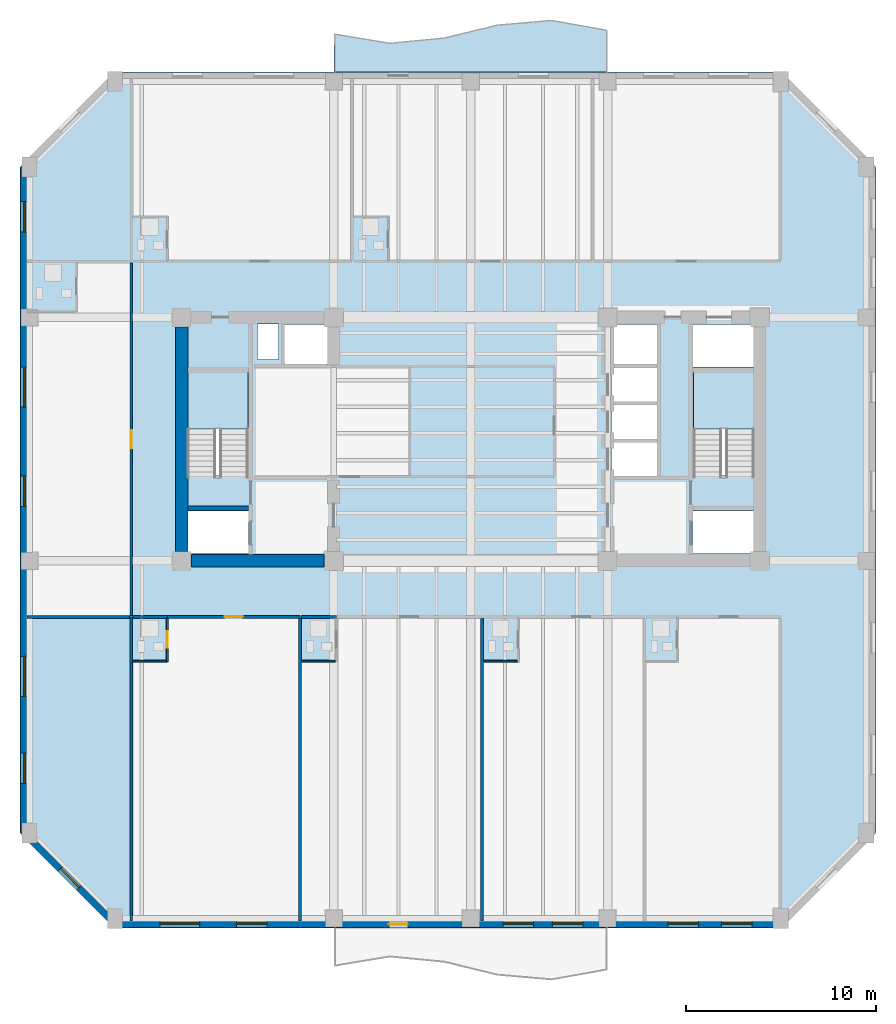
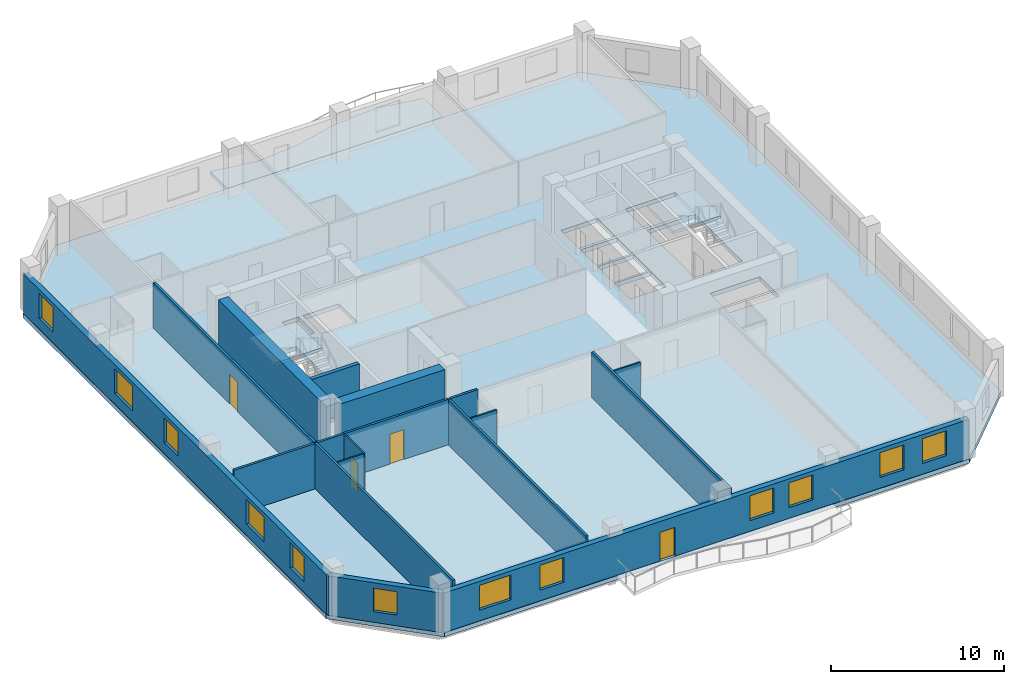
# One storey, part 2 of 10: 18 walls, 12 windows, 4 doors, 4 slabs, 16 openings, 2 elements without a shape of their own.
"""IFC4 building model written with IfcOpenShell, lengths in metres."""

from ifc_helpers import new_model, si_unit, direction, frame, frame_2d, origin, place, context, subcontext, project, spatial, polyline, rectangle, outline, extrude, material, layer, layer_set, type_object, element, fill, aggregate, save


model = new_model("IFC4")

# Units and contexts
model_context = context("Model", 3, precision=1e-05, world=origin(), true_north=direction((0.0, 1.0)))
body_context = subcontext(model_context, "Body", "Model", "MODEL_VIEW")
ifc_project = project(units=[si_unit("LENGTHUNIT", "METRE"), si_unit("AREAUNIT", "SQUARE_METRE"), si_unit("VOLUMEUNIT", "CUBIC_METRE"), si_unit("PLANEANGLEUNIT", "RADIAN"), si_unit("MASSUNIT", "GRAM", prefix="KILO")], contexts=[model_context])

# Site, building, storey
site_placement = place(None, origin())
site = spatial("IfcSite", under=ifc_project, at=site_placement, CompositionType="ELEMENT")
building_placement = place(site_placement, origin())
building = spatial("IfcBuilding", under=site, at=building_placement, Name="Kranthara Brick Stack", CompositionType="ELEMENT")
storey_placement = place(building_placement, frame((0.0, 0.0, 123.800048828125)))
storey = spatial("IfcBuildingStorey", under=building, at=storey_placement, Name="L30", CompositionType="ELEMENT", Elevation=123.800048828125)

# Slab
ifc_material_1 = material(Name="Concrete C45/55", Category="concrete")
ifc_layer_1 = layer(ifc_material_1, 0.219970703125)
ifc_layer_set_1 = layer_set([ifc_layer_1], Name="Concrete C45/55")
slab_type_1 = type_object("IfcSlabType", Name="SLB-BALC-220", PredefinedType="FLOOR", material=ifc_layer_set_1)
slab_1_placement = place(storey_placement, frame((0.0, 0.0, -0.219970703125)))
element("IfcSlab", 1, at=slab_1_placement, inside=storey, type_object=slab_type_1, Name="L30 North Rippling Balcony Slab", PredefinedType="FLOOR", context=body_context, shape_type="SweptSolid", body=[
    extrude(outline(polyline([(35.199951171875, 46.5), (20.800048828125, 46.5), (20.800048828125, 48.4951171875), (23.679931640625, 48.009033203125), (26.56005859375, 48.297607421875), (29.43994140625, 48.997802734375), (32.320068359375, 49.229248046875), (35.199951171875, 48.70068359375), (35.199951171875, 46.5)])), origin(), (0.0, 0.0, 1.0), 0.219970703125),
])

# Stair, slab
ifc_material_2 = material(Name="Concrete C45/55", Category="concrete")
stair_type = type_object("IfcStairType", Name="ST-CORE-20R", PredefinedType="HALF_TURN_STAIR", material=ifc_material_2)
stair_1_placement = place(storey_placement, origin())
stair_1 = element("IfcStair", 2, at=stair_1_placement, inside=storey, type_object=stair_type, Name="L30 West Core Protected Exit Stair ST01", PredefinedType="HALF_TURN_STAIR")
ifc_material_3 = material(Name="Concrete C45/55", Category="concrete")
ifc_layer_2 = layer(ifc_material_3, 0.199951171875)
ifc_layer_set_2 = layer_set([ifc_layer_2], Name="Concrete C45/55")
slab_type_2 = type_object("IfcSlabType", Name="SLB-LANDING-200", PredefinedType="LANDING", material=ifc_layer_set_2)
slab_2_placement = place(storey_placement, frame((0.0, 0.0, 1.550048828125)))
slab_2 = element("IfcSlab", 3, at=slab_2_placement, type_object=slab_type_2, Name="ST01 landing 1", PredefinedType="LANDING", context=body_context, shape_type="SweptSolid", body=[
    extrude(outline(polyline([(16.300048828125, 27.719970703125), (16.300048828125, 30.75), (13.10009765625, 30.75), (13.10009765625, 27.719970703125), (16.300048828125, 27.719970703125)])), origin(), (0.0, 0.0, 1.0), 0.199951171875),
])
aggregate(stair_1, [slab_2])

stair_2_placement = place(storey_placement, origin())
stair_2 = element("IfcStair", 4, at=stair_2_placement, inside=storey, type_object=stair_type, Name="L30 East Core Protected Exit Stair ST02", PredefinedType="HALF_TURN_STAIR")
slab_3_placement = place(storey_placement, frame((0.0, 0.0, 1.550048828125)))
slab_3 = element("IfcSlab", 5, at=slab_3_placement, type_object=slab_type_2, Name="ST02 landing 1", PredefinedType="LANDING", context=body_context, shape_type="SweptSolid", body=[
    extrude(outline(polyline([(42.89990234375, 27.719970703125), (42.89990234375, 30.75), (39.699951171875, 30.75), (39.699951171875, 27.719970703125), (42.89990234375, 27.719970703125)])), origin(), (0.0, 0.0, 1.0), 0.199951171875),
])
aggregate(stair_2, [slab_3])

# Slab
ifc_material_4 = material(Name="Post-tensioned concrete C45/55", Category="concrete")
ifc_layer_3 = layer(ifc_material_4, 0.300048828125)
ifc_layer_set_3 = layer_set([ifc_layer_3], Name="Post-tensioned concrete C45/55")
slab_type_3 = type_object("IfcSlabType", Name="SLB-TWR-300", PredefinedType="FLOOR", material=ifc_layer_set_3)
slab_4_placement = place(storey_placement, frame((0.0, 0.0, -0.300048828125)))
element("IfcSlab", 6, at=slab_4_placement, inside=storey, type_object=slab_type_3, Name="L30 Structural Floor Plate", PredefinedType="FLOOR", context=body_context, shape_type="SweptSolid", body=[
    extrude(outline(polyline([(9.300048828125, 1.5), (44.300048828125, 1.5), (49.300048828125, 6.5), (49.300048828125, 41.5), (44.300048828125, 46.5), (9.300048828125, 46.5), (4.300048828125, 41.5), (4.300048828125, 6.5), (9.300048828125, 1.5)]), holes=[polyline([(13.10009765625, 25.280029296875), (16.300048828125, 25.280029296875), (16.300048828125, 30.75), (13.10009765625, 30.75), (13.10009765625, 25.280029296875)]), polyline([(39.699951171875, 25.280029296875), (42.89990234375, 25.280029296875), (42.89990234375, 30.75), (39.699951171875, 30.75), (39.699951171875, 25.280029296875)]), polyline([(13.0, 21.179931640625), (16.320068359375, 21.179931640625), (16.320068359375, 23.419921875), (13.0, 23.419921875), (13.0, 21.179931640625)]), polyline([(39.679931640625, 21.179931640625), (43.0, 21.179931640625), (43.0, 23.419921875), (39.679931640625, 23.419921875), (39.679931640625, 21.179931640625)]), polyline([(39.679931640625, 30.97998046875), (43.0, 30.97998046875), (43.0, 33.219970703125), (39.679931640625, 33.219970703125), (39.679931640625, 30.97998046875)]), polyline([(35.39990234375, 25.25), (37.800048828125, 25.25), (37.800048828125, 27.050048828125), (35.39990234375, 27.050048828125), (35.39990234375, 25.25)]), polyline([(35.39990234375, 27.199951171875), (37.800048828125, 27.199951171875), (37.800048828125, 29.0), (35.39990234375, 29.0), (35.39990234375, 27.199951171875)]), polyline([(35.39990234375, 29.14990234375), (37.800048828125, 29.14990234375), (37.800048828125, 30.949951171875), (35.39990234375, 30.949951171875), (35.39990234375, 29.14990234375)]), polyline([(18.199951171875, 31.14990234375), (20.60009765625, 31.14990234375), (20.60009765625, 33.219970703125), (18.199951171875, 33.219970703125), (18.199951171875, 31.14990234375)]), polyline([(35.39990234375, 31.14990234375), (37.800048828125, 31.14990234375), (37.800048828125, 33.219970703125), (35.39990234375, 33.219970703125), (35.39990234375, 31.14990234375)]), polyline([(16.800048828125, 31.39990234375), (17.89990234375, 31.39990234375), (17.89990234375, 33.25), (16.800048828125, 33.25), (16.800048828125, 31.39990234375)])]), origin(), (0.0, 0.0, 1.0), 0.300048828125),
])

# Wall, openings, door, windows
ifc_material_5 = material(Name="Kiln-fired clay brick masonry M15", Category="masonry")
ifc_layer_4 = layer(ifc_material_5, 0.35009765625)
ifc_layer_set_4 = layer_set([ifc_layer_4], Name="Kiln-fired clay brick masonry M15")
wall_type_1 = type_object("IfcWallType", Name="WL-BRK-SPND-350", PredefinedType="STANDARD", material=ifc_layer_set_4)
wall_1_placement = place(storey_placement, frame((44.300048828125, 1.695068359375, 0.0), z_axis=(0.0, 0.0, 1.0), x_axis=(-1.0, 0.0, 0.0)))
wall_1 = element("IfcWall", 7, at=wall_1_placement, inside=storey, type_object=wall_type_1, Name="L30 Exterior Brick Facade Wall SOUTH 1", PredefinedType="STANDARD", context=body_context, shape_type="SweptSolid", body=[
    extrude(rectangle(XDim=35.0, YDim=0.35009765625, at=frame_2d((17.5, 0.0))), origin(), (0.0, 0.0, 1.0), 2.784912109375),
])
opening_1_placement = place(wall_1_placement, frame((19.60009765625, 0.0, 0.0)))
opening_1 = element("IfcOpeningElement", 8, at=opening_1_placement, cuts=wall_1, Name="Opening D03", PredefinedType="OPENING", context=body_context, shape_type="SweptSolid", body=[
    extrude(rectangle(XDim=1.0, YDim=2.02001953125, at=frame_2d((0.5, 1.010009765625))), frame((0.0, 0.18505859375, 0.0), z_axis=(0.0, -1.0, 0.0), x_axis=(1.0, 0.0, 0.0)), (0.0, 0.0, 1.0), 0.3701171875),
])
opening_2_placement = place(wall_1_placement, frame((1.508056640625, 0.0, 0.75)))
opening_2 = element("IfcOpeningElement", 9, at=opening_2_placement, cuts=wall_1, Name="Opening WN04", PredefinedType="OPENING", context=body_context, shape_type="SweptSolid", body=[
    extrude(rectangle(XDim=1.60009765625, YDim=1.75, at=frame_2d((0.800048828125, 0.875))), frame((0.0, 0.18505859375, 0.0), z_axis=(0.0, -1.0, 0.0), x_axis=(1.0, 0.0, 0.0)), (0.0, 0.0, 1.0), 0.3701171875),
])
opening_3_placement = place(wall_1_placement, frame((4.337890625, 0.0, 0.75)))
opening_3 = element("IfcOpeningElement", 10, at=opening_3_placement, cuts=wall_1, Name="Opening WN04", PredefinedType="OPENING", context=body_context, shape_type="SweptSolid", body=[
    extrude(rectangle(XDim=1.60009765625, YDim=1.75, at=frame_2d((0.800048828125, 0.875))), frame((0.0, 0.18505859375, 0.0), z_axis=(0.0, -1.0, 0.0), x_axis=(1.0, 0.0, 0.0)), (0.0, 0.0, 1.0), 0.3701171875),
])
opening_4_placement = place(wall_1_placement, frame((10.406005859375, 0.0, 0.75)))
opening_4 = element("IfcOpeningElement", 11, at=opening_4_placement, cuts=wall_1, Name="Opening WN04", PredefinedType="OPENING", context=body_context, shape_type="SweptSolid", body=[
    extrude(rectangle(XDim=1.60009765625, YDim=1.75, at=frame_2d((0.800048828125, 0.875))), frame((0.0, 0.18505859375, 0.0), z_axis=(0.0, -1.0, 0.0), x_axis=(1.0, 0.0, 0.0)), (0.0, 0.0, 1.0), 0.3701171875),
])
opening_5_placement = place(wall_1_placement, frame((13.0029296875, 0.0, 0.75)))
opening_5 = element("IfcOpeningElement", 12, at=opening_5_placement, cuts=wall_1, Name="Opening WN04", PredefinedType="OPENING", context=body_context, shape_type="SweptSolid", body=[
    extrude(rectangle(XDim=1.60009765625, YDim=1.75, at=frame_2d((0.800048828125, 0.875))), frame((0.0, 0.18505859375, 0.0), z_axis=(0.0, -1.0, 0.0), x_axis=(1.0, 0.0, 0.0)), (0.0, 0.0, 1.0), 0.3701171875),
])
opening_6_placement = place(wall_1_placement, frame((27.02001953125, 0.0, 0.75)))
opening_6 = element("IfcOpeningElement", 13, at=opening_6_placement, cuts=wall_1, Name="Opening WN04", PredefinedType="OPENING", context=body_context, shape_type="SweptSolid", body=[
    extrude(rectangle(XDim=1.60009765625, YDim=1.75, at=frame_2d((0.800048828125, 0.875))), frame((0.0, 0.18505859375, 0.0), z_axis=(0.0, -1.0, 0.0), x_axis=(1.0, 0.0, 0.0)), (0.0, 0.0, 1.0), 0.3701171875),
])
opening_7_placement = place(wall_1_placement, frame((30.551025390625, 0.0, 0.75)))
opening_7 = element("IfcOpeningElement", 14, at=opening_7_placement, cuts=wall_1, Name="Opening WN05", PredefinedType="OPENING", context=body_context, shape_type="SweptSolid", body=[
    extrude(rectangle(XDim=2.10009765625, YDim=1.75, at=frame_2d((1.050048828125, 0.875))), frame((0.0, 0.18505859375, 0.0), z_axis=(0.0, -1.0, 0.0), x_axis=(1.0, 0.0, 0.0)), (0.0, 0.0, 1.0), 0.3701171875),
])
ifc_material_6 = material(Name="Bronze anodised aluminium and laminated glass", Category="aluminium")
door_type_1 = type_object("IfcDoorType", Name="DR-BALC-1000", OperationType="NOTDEFINED", PredefinedType="DOOR", material=ifc_material_6)
door_1_placement = place(opening_1_placement, origin())
door_1 = element("IfcDoor", 15, at=door_1_placement, inside=storey, type_object=door_type_1, Name="L30 South Balcony Terrace Door", OperationType="SINGLE_SWING_LEFT", OverallHeight=2.02001953125, OverallWidth=1.0, PredefinedType="DOOR", context=body_context, shape_type="SweptSolid", body=[
    extrude(rectangle(XDim=1.0, YDim=2.02001953125, at=frame_2d((0.5, 1.010009765625))), frame((0.0, 0.02490234375, 0.0), z_axis=(0.0, -1.0, 0.0), x_axis=(1.0, 0.0, 0.0)), (0.0, 0.0, 1.0), 0.050048828125),
])
fill(opening_1, door_1)
ifc_material_7 = material(Name="Double-glazed low-E solar control glass", Category="glass")
window_type_1 = type_object("IfcWindowType", Name="WN-HTL-1600x1850", PartitioningType="DOUBLE_PANEL_VERTICAL", PredefinedType="WINDOW", material=ifc_material_7)
window_1_placement = place(opening_2_placement, origin())
window_1 = element("IfcWindow", 16, at=window_1_placement, inside=storey, type_object=window_type_1, Name="L30 South Deep-Set Brick Window 01", OverallHeight=1.75, OverallWidth=1.60009765625, PartitioningType="SINGLE_PANEL", PredefinedType="WINDOW", context=body_context, shape_type="SweptSolid", body=[
    extrude(rectangle(XDim=1.60009765625, YDim=1.75, at=frame_2d((0.800048828125, 0.875))), frame((0.0, -0.010009765625, 0.0), z_axis=(0.0, -1.0, 0.0), x_axis=(1.0, 0.0, 0.0)), (0.0, 0.0, 1.0), 0.06005859375),
])
fill(opening_2, window_1)
window_2_placement = place(opening_3_placement, origin())
window_2 = element("IfcWindow", 17, at=window_2_placement, inside=storey, type_object=window_type_1, Name="L30 South Deep-Set Brick Window 02", OverallHeight=1.75, OverallWidth=1.60009765625, PartitioningType="SINGLE_PANEL", PredefinedType="WINDOW", context=body_context, shape_type="SweptSolid", body=[
    extrude(rectangle(XDim=1.60009765625, YDim=1.75, at=frame_2d((0.800048828125, 0.875))), frame((0.0, -0.010009765625, 0.0), z_axis=(0.0, -1.0, 0.0), x_axis=(1.0, 0.0, 0.0)), (0.0, 0.0, 1.0), 0.06005859375),
])
fill(opening_3, window_2)
window_3_placement = place(opening_4_placement, origin())
window_3 = element("IfcWindow", 18, at=window_3_placement, inside=storey, type_object=window_type_1, Name="L30 South Deep-Set Brick Window 03", OverallHeight=1.75, OverallWidth=1.60009765625, PartitioningType="SINGLE_PANEL", PredefinedType="WINDOW", context=body_context, shape_type="SweptSolid", body=[
    extrude(rectangle(XDim=1.60009765625, YDim=1.75, at=frame_2d((0.800048828125, 0.875))), frame((0.0, -0.010009765625, 0.0), z_axis=(0.0, -1.0, 0.0), x_axis=(1.0, 0.0, 0.0)), (0.0, 0.0, 1.0), 0.06005859375),
])
fill(opening_4, window_3)
window_4_placement = place(opening_5_placement, origin())
window_4 = element("IfcWindow", 19, at=window_4_placement, inside=storey, type_object=window_type_1, Name="L30 South Deep-Set Brick Window 04", OverallHeight=1.75, OverallWidth=1.60009765625, PartitioningType="SINGLE_PANEL", PredefinedType="WINDOW", context=body_context, shape_type="SweptSolid", body=[
    extrude(rectangle(XDim=1.60009765625, YDim=1.75, at=frame_2d((0.800048828125, 0.875))), frame((0.0, -0.010009765625, 0.0), z_axis=(0.0, -1.0, 0.0), x_axis=(1.0, 0.0, 0.0)), (0.0, 0.0, 1.0), 0.06005859375),
])
fill(opening_5, window_4)
window_5_placement = place(opening_6_placement, origin())
window_5 = element("IfcWindow", 20, at=window_5_placement, inside=storey, type_object=window_type_1, Name="L30 South Deep-Set Brick Window 05", OverallHeight=1.75, OverallWidth=1.60009765625, PartitioningType="SINGLE_PANEL", PredefinedType="WINDOW", context=body_context, shape_type="SweptSolid", body=[
    extrude(rectangle(XDim=1.60009765625, YDim=1.75, at=frame_2d((0.800048828125, 0.875))), frame((0.0, -0.010009765625, 0.0), z_axis=(0.0, -1.0, 0.0), x_axis=(1.0, 0.0, 0.0)), (0.0, 0.0, 1.0), 0.06005859375),
])
fill(opening_6, window_5)
ifc_material_8 = material(Name="Double-glazed low-E solar control glass", Category="glass")
window_type_2 = type_object("IfcWindowType", Name="WN-HTL-2100x1850", PartitioningType="DOUBLE_PANEL_VERTICAL", PredefinedType="WINDOW", material=ifc_material_8)
window_6_placement = place(opening_7_placement, origin())
window_6 = element("IfcWindow", 21, at=window_6_placement, inside=storey, type_object=window_type_2, Name="L30 South Deep-Set Brick Window 06", OverallHeight=1.75, OverallWidth=2.10009765625, PartitioningType="SINGLE_PANEL", PredefinedType="WINDOW", context=body_context, shape_type="SweptSolid", body=[
    extrude(rectangle(XDim=2.10009765625, YDim=1.75, at=frame_2d((1.050048828125, 0.875))), frame((0.0, -0.010009765625, 0.0), z_axis=(0.0, -1.0, 0.0), x_axis=(1.0, 0.0, 0.0)), (0.0, 0.0, 1.0), 0.06005859375),
])
fill(opening_7, window_6)

# Wall, opening, window
wall_2_placement = place(storey_placement, frame((9.300048828125, 1.695068359375, 0.0), z_axis=(0.0, 0.0, 1.0), x_axis=(-0.707106781187, 0.707106781187, 0.0)))
wall_2 = element("IfcWall", 22, at=wall_2_placement, inside=storey, type_object=wall_type_1, Name="L30 Exterior Brick Facade Wall SW 1", PredefinedType="STANDARD", context=body_context, shape_type="SweptSolid", body=[
    extrude(rectangle(XDim=6.795166015625, YDim=0.35009765625, at=frame_2d((3.3974609375, 0.0))), origin(), (0.0, 0.0, 1.0), 2.784912109375),
])
opening_8_placement = place(wall_2_placement, frame((2.697998046875, 0.0, 0.75)))
opening_8 = element("IfcOpeningElement", 23, at=opening_8_placement, cuts=wall_2, Name="Opening WN10", PredefinedType="OPENING", context=body_context, shape_type="SweptSolid", body=[
    extrude(rectangle(XDim=1.39990234375, YDim=1.64990234375, at=frame_2d((0.699951171875, 0.824951171875))), frame((0.0, 0.18505859375, 0.0), z_axis=(0.0, -1.0, 0.0), x_axis=(1.0, 0.0, 0.0)), (0.0, 0.0, 1.0), 0.3701171875),
])
ifc_material_9 = material(Name="Double-glazed low-E solar control glass", Category="glass")
window_type_3 = type_object("IfcWindowType", Name="WN-CHM-1400x1750", PartitioningType="SINGLE_PANEL", PredefinedType="WINDOW", material=ifc_material_9)
window_7_placement = place(opening_8_placement, origin())
window_7 = element("IfcWindow", 24, at=window_7_placement, inside=storey, type_object=window_type_3, Name="L30 SW Chamfer Corner Window", OverallHeight=1.64990234375, OverallWidth=1.39990234375, PartitioningType="SINGLE_PANEL", PredefinedType="WINDOW", context=body_context, shape_type="SweptSolid", body=[
    extrude(rectangle(XDim=1.39990234375, YDim=1.64990234375, at=frame_2d((0.699951171875, 0.824951171875))), frame((0.0, -0.010009765625, 0.0), z_axis=(0.0, -1.0, 0.0), x_axis=(1.0, 0.0, 0.0)), (0.0, 0.0, 1.0), 0.06005859375),
])
fill(opening_8, window_7)

# Wall, openings, windows
wall_3_placement = place(storey_placement, frame((4.4951171875, 6.5, 0.0), z_axis=(0.0, 0.0, 1.0), x_axis=(0.0, 1.0, 0.0)))
wall_3 = element("IfcWall", 25, at=wall_3_placement, inside=storey, type_object=wall_type_1, Name="L30 Exterior Brick Facade Wall WEST 1", PredefinedType="STANDARD", context=body_context, shape_type="SweptSolid", body=[
    extrude(rectangle(XDim=35.0, YDim=0.35009765625, at=frame_2d((17.5, 0.0))), origin(), (0.0, 0.0, 1.0), 2.784912109375),
])
opening_9_placement = place(wall_3_placement, frame((2.594970703125, 0.0, 0.75)))
opening_9 = element("IfcOpeningElement", 26, at=opening_9_placement, cuts=wall_3, Name="Opening WN04", PredefinedType="OPENING", context=body_context, shape_type="SweptSolid", body=[
    extrude(rectangle(XDim=1.60009765625, YDim=1.75, at=frame_2d((0.800048828125, 0.875))), frame((0.0, 0.18505859375, 0.0), z_axis=(0.0, -1.0, 0.0), x_axis=(1.0, 0.0, 0.0)), (0.0, 0.0, 1.0), 0.3701171875),
])
opening_10_placement = place(wall_3_placement, frame((7.180908203125, 0.0, 0.75)))
opening_10 = element("IfcOpeningElement", 27, at=opening_10_placement, cuts=wall_3, Name="Opening WN05", PredefinedType="OPENING", context=body_context, shape_type="SweptSolid", body=[
    extrude(rectangle(XDim=2.10009765625, YDim=1.75, at=frame_2d((1.050048828125, 0.875))), frame((0.0, 0.18505859375, 0.0), z_axis=(0.0, -1.0, 0.0), x_axis=(1.0, 0.0, 0.0)), (0.0, 0.0, 1.0), 0.3701171875),
])
opening_11_placement = place(wall_3_placement, frame((17.1640625, 0.0, 0.75)))
opening_11 = element("IfcOpeningElement", 28, at=opening_11_placement, cuts=wall_3, Name="Opening WN04", PredefinedType="OPENING", context=body_context, shape_type="SweptSolid", body=[
    extrude(rectangle(XDim=1.60009765625, YDim=1.75, at=frame_2d((0.800048828125, 0.875))), frame((0.0, 0.18505859375, 0.0), z_axis=(0.0, -1.0, 0.0), x_axis=(1.0, 0.0, 0.0)), (0.0, 0.0, 1.0), 0.3701171875),
])
opening_12_placement = place(wall_3_placement, frame((22.385986328125, 0.0, 0.75)))
opening_12 = element("IfcOpeningElement", 29, at=opening_12_placement, cuts=wall_3, Name="Opening WN05", PredefinedType="OPENING", context=body_context, shape_type="SweptSolid", body=[
    extrude(rectangle(XDim=2.10009765625, YDim=1.75, at=frame_2d((1.050048828125, 0.875))), frame((0.0, 0.18505859375, 0.0), z_axis=(0.0, -1.0, 0.0), x_axis=(1.0, 0.0, 0.0)), (0.0, 0.0, 1.0), 0.3701171875),
])
opening_13_placement = place(wall_3_placement, frame((31.587890625, 0.0, 0.75)))
opening_13 = element("IfcOpeningElement", 30, at=opening_13_placement, cuts=wall_3, Name="Opening WN04", PredefinedType="OPENING", context=body_context, shape_type="SweptSolid", body=[
    extrude(rectangle(XDim=1.60009765625, YDim=1.75, at=frame_2d((0.800048828125, 0.875))), frame((0.0, 0.18505859375, 0.0), z_axis=(0.0, -1.0, 0.0), x_axis=(1.0, 0.0, 0.0)), (0.0, 0.0, 1.0), 0.3701171875),
])
window_8_placement = place(opening_9_placement, origin())
window_8 = element("IfcWindow", 31, at=window_8_placement, inside=storey, type_object=window_type_1, Name="L30 West Deep-Set Brick Window 01", OverallHeight=1.75, OverallWidth=1.60009765625, PartitioningType="SINGLE_PANEL", PredefinedType="WINDOW", context=body_context, shape_type="SweptSolid", body=[
    extrude(rectangle(XDim=1.60009765625, YDim=1.75, at=frame_2d((0.800048828125, 0.875))), frame((0.0, -0.010009765625, 0.0), z_axis=(0.0, -1.0, 0.0), x_axis=(1.0, 0.0, 0.0)), (0.0, 0.0, 1.0), 0.06005859375),
])
fill(opening_9, window_8)
window_9_placement = place(opening_11_placement, origin())
window_9 = element("IfcWindow", 32, at=window_9_placement, inside=storey, type_object=window_type_1, Name="L30 West Deep-Set Brick Window 03", OverallHeight=1.75, OverallWidth=1.60009765625, PartitioningType="SINGLE_PANEL", PredefinedType="WINDOW", context=body_context, shape_type="SweptSolid", body=[
    extrude(rectangle(XDim=1.60009765625, YDim=1.75, at=frame_2d((0.800048828125, 0.875))), frame((0.0, -0.010009765625, 0.0), z_axis=(0.0, -1.0, 0.0), x_axis=(1.0, 0.0, 0.0)), (0.0, 0.0, 1.0), 0.06005859375),
])
fill(opening_11, window_9)
window_10_placement = place(opening_13_placement, origin())
window_10 = element("IfcWindow", 33, at=window_10_placement, inside=storey, type_object=window_type_1, Name="L30 West Deep-Set Brick Window 05", OverallHeight=1.75, OverallWidth=1.60009765625, PartitioningType="SINGLE_PANEL", PredefinedType="WINDOW", context=body_context, shape_type="SweptSolid", body=[
    extrude(rectangle(XDim=1.60009765625, YDim=1.75, at=frame_2d((0.800048828125, 0.875))), frame((0.0, -0.010009765625, 0.0), z_axis=(0.0, -1.0, 0.0), x_axis=(1.0, 0.0, 0.0)), (0.0, 0.0, 1.0), 0.06005859375),
])
fill(opening_13, window_10)
window_11_placement = place(opening_10_placement, origin())
window_11 = element("IfcWindow", 34, at=window_11_placement, inside=storey, type_object=window_type_2, Name="L30 West Deep-Set Brick Window 02", OverallHeight=1.75, OverallWidth=2.10009765625, PartitioningType="SINGLE_PANEL", PredefinedType="WINDOW", context=body_context, shape_type="SweptSolid", body=[
    extrude(rectangle(XDim=2.10009765625, YDim=1.75, at=frame_2d((1.050048828125, 0.875))), frame((0.0, -0.010009765625, 0.0), z_axis=(0.0, -1.0, 0.0), x_axis=(1.0, 0.0, 0.0)), (0.0, 0.0, 1.0), 0.06005859375),
])
fill(opening_10, window_11)
window_12_placement = place(opening_12_placement, origin())
window_12 = element("IfcWindow", 35, at=window_12_placement, inside=storey, type_object=window_type_2, Name="L30 West Deep-Set Brick Window 04", OverallHeight=1.75, OverallWidth=2.10009765625, PartitioningType="SINGLE_PANEL", PredefinedType="WINDOW", context=body_context, shape_type="SweptSolid", body=[
    extrude(rectangle(XDim=2.10009765625, YDim=1.75, at=frame_2d((1.050048828125, 0.875))), frame((0.0, -0.010009765625, 0.0), z_axis=(0.0, -1.0, 0.0), x_axis=(1.0, 0.0, 0.0)), (0.0, 0.0, 1.0), 0.06005859375),
])
fill(opening_12, window_12)

# Walls
ifc_material_10 = material(Name="Concrete C50/60", Category="concrete")
ifc_layer_5 = layer(ifc_material_10, 0.25)
ifc_layer_set_5 = layer_set([ifc_layer_5], Name="Concrete C50/60")
wall_type_2 = type_object("IfcWallType", Name="WL-CORE-250", PredefinedType="SHEAR", material=ifc_layer_set_5)
wall_4_placement = place(storey_placement, frame((13.135009765625, 23.570068359375, 0.0), z_axis=(0.0, 0.0, 1.0), x_axis=(1.0, 0.0, 0.0)))
element("IfcWall", 36, at=wall_4_placement, inside=storey, type_object=wall_type_2, Name="L30 West Stairwell Bearing Wall WFF", PredefinedType="SHEAR", context=body_context, shape_type="SweptSolid", body=[
    extrude(rectangle(XDim=3.175048828125, YDim=0.25, at=frame_2d((1.58740234375, 0.0))), origin(), (0.0, 0.0, 1.0), 3.199951171875),
])
ifc_material_11 = material(Name="Concrete C60/75", Category="concrete")
ifc_layer_6 = layer(ifc_material_11, 0.64990234375)
ifc_layer_set_6 = layer_set([ifc_layer_6], Name="Concrete C60/75")
wall_type_3 = type_object("IfcWallType", Name="WL-CORE-650", PredefinedType="SHEAR", material=ifc_layer_set_6)
wall_5_placement = place(storey_placement, frame((12.800048828125, 21.304931640625, 0.0), z_axis=(0.0, 0.0, 1.0), x_axis=(0.0, 1.0, 0.0)))
element("IfcWall", 37, at=wall_5_placement, inside=storey, type_object=wall_type_3, Name="L30 West Core Shear Wall West", PredefinedType="SHEAR", context=body_context, shape_type="SweptSolid", body=[
    extrude(rectangle(XDim=11.7900390625, YDim=0.64990234375, at=frame_2d((5.89501953125, 0.0))), origin(), (0.0, 0.0, 1.0), 3.199951171875),
])
wall_6_placement = place(storey_placement, frame((13.304931640625, 20.800048828125, 0.0), z_axis=(0.0, 0.0, 1.0), x_axis=(1.0, 0.0, 0.0)))
element("IfcWall", 38, at=wall_6_placement, inside=storey, type_object=wall_type_3, Name="L30 West Core Shear Wall South", PredefinedType="SHEAR", context=body_context, shape_type="SweptSolid", body=[
    extrude(rectangle(XDim=6.989990234375, YDim=0.64990234375, at=frame_2d((3.4951171875, 0.0))), origin(), (0.0, 0.0, 1.0), 3.199951171875),
])

# Wall, opening, door
ifc_material_12 = material(Name="Moisture-resistant wet-room partition", Category="other")
ifc_layer_7 = layer(ifc_material_12, 0.10009765625)
ifc_layer_set_7 = layer_set([ifc_layer_7], Name="Moisture-resistant wet-room partition")
wall_type_4 = type_object("IfcWallType", Name="WL-PART-100", PredefinedType="PARTITIONING", material=ifc_layer_set_7)
wall_7_placement = place(storey_placement, frame((12.050048828125, 15.52001953125, 0.0), z_axis=(0.0, 0.0, 1.0), x_axis=(0.0, 1.0, 0.0)))
wall_7 = element("IfcWall", 39, at=wall_7_placement, inside=storey, type_object=wall_type_4, Name="L30 Interior Partition 008", PredefinedType="PARTITIONING", context=body_context, shape_type="SweptSolid", body=[
    extrude(rectangle(XDim=2.25, YDim=0.10009765625, at=frame_2d((1.125, 0.0))), origin(), (0.0, 0.0, 1.0), 3.199951171875),
])
opening_14_placement = place(wall_7_placement, frame((0.719970703125, 0.0, 0.0)))
opening_14 = element("IfcOpeningElement", 40, at=opening_14_placement, cuts=wall_7, Name="Opening D17", PredefinedType="OPENING", context=body_context, shape_type="SweptSolid", body=[
    extrude(rectangle(XDim=0.85009765625, YDim=2.050048828125, at=frame_2d((0.425048828125, 1.02490234375))), frame((0.0, 0.06005859375, 0.0), z_axis=(0.0, -1.0, 0.0), x_axis=(1.0, 0.0, 0.0)), (0.0, 0.0, 1.0), 0.1201171875),
])
ifc_material_13 = material(Name="Solid-core hardwood timber leaf in steel frame", Category="steel")
door_type_2 = type_object("IfcDoorType", Name="DR-WET-850", OperationType="NOTDEFINED", PredefinedType="DOOR", material=ifc_material_13)
door_2_placement = place(opening_14_placement, origin())
door_2 = element("IfcDoor", 41, at=door_2_placement, inside=storey, type_object=door_type_2, Name="L30 Key 01 En-Suite Door 03", OperationType="SINGLE_SWING_LEFT", OverallHeight=2.050048828125, OverallWidth=0.85009765625, PredefinedType="DOOR", context=body_context, shape_type="SweptSolid", body=[
    extrude(rectangle(XDim=0.85009765625, YDim=2.050048828125, at=frame_2d((0.425048828125, 1.02490234375))), frame((0.0, 0.02490234375, 0.0), z_axis=(0.0, -1.0, 0.0), x_axis=(1.0, 0.0, 0.0)), (0.0, 0.0, 1.0), 0.050048828125),
])
fill(opening_14, door_2)

# Walls
for number, where, z_axis, x_axis, name in (
    (42, (10.22998046875, 15.52001953125, 0.0), (0.0, 0.0, 1.0), (1.0, 0.0, 0.0), "L30 Interior Partition 009"),
    (43, (19.10888671875, 15.52001953125, 0.0), (0.0, 0.0, 1.0), (1.0, 0.0, 0.0), "L30 Interior Partition 014"),
    (44, (28.6708984375, 15.52001953125, 0.0), (0.0, 0.0, 1.0), (1.0, 0.0, 0.0), "L30 Interior Partition 019"),
):
    element("IfcWall", number, at=place(storey_placement, frame(where, z_axis=z_axis, x_axis=x_axis)), inside=storey, type_object=wall_type_4, Name=name, PredefinedType="PARTITIONING", context=body_context, shape_type="SweptSolid", body=[
        extrude(rectangle(XDim=1.76513671875, YDim=0.10009765625, at=frame_2d((0.882568359375, 0.0))), origin(), (0.0, 0.0, 1.0), 3.199951171875),
    ])
ifc_material_14 = material(Name="Fire-rated gypsum board partition", Category="other")
ifc_layer_8 = layer(ifc_material_14, 0.14990234375)
ifc_layer_set_8 = layer_set([ifc_layer_8], Name="Fire-rated gypsum board partition")
wall_type_5 = type_object("IfcWallType", Name="WL-PART-150", PredefinedType="PARTITIONING", material=ifc_layer_set_8)
wall_8_placement = place(storey_placement, frame((10.14990234375, 1.875, 0.0), z_axis=(0.0, 0.0, 1.0), x_axis=(0.0, 1.0, 0.0)))
element("IfcWall", 45, at=wall_8_placement, inside=storey, type_object=wall_type_5, Name="L30 Interior Partition 005", PredefinedType="PARTITIONING", context=body_context, shape_type="SweptSolid", body=[
    extrude(rectangle(XDim=15.97509765625, YDim=0.14990234375, at=frame_2d((7.987548828125, 0.0))), origin(), (0.0, 0.0, 1.0), 3.199951171875),
])
wall_9_placement = place(storey_placement, frame((10.22998046875, 17.85009765625, 0.0), z_axis=(0.0, 0.0, 1.0), x_axis=(1.0, 0.0, 0.0)))
element("IfcWall", 46, at=wall_9_placement, inside=storey, type_object=wall_type_5, Name="L30 Interior Partition 006", PredefinedType="PARTITIONING", context=body_context, shape_type="SweptSolid", body=[
    extrude(rectangle(XDim=1.820068359375, YDim=0.14990234375, at=frame_2d((0.91015625, 0.0))), origin(), (0.0, 0.0, 1.0), 3.199951171875),
])

# Wall, opening, door
wall_10_placement = place(storey_placement, frame((12.050048828125, 17.85009765625, 0.0), z_axis=(0.0, 0.0, 1.0), x_axis=(1.0, 0.0, 0.0)))
wall_10 = element("IfcWall", 47, at=wall_10_placement, inside=storey, type_object=wall_type_5, Name="L30 Interior Partition 007", PredefinedType="PARTITIONING", context=body_context, shape_type="SweptSolid", body=[
    extrude(rectangle(XDim=6.97900390625, YDim=0.14990234375, at=frame_2d((3.489501953125, 0.0))), origin(), (0.0, 0.0, 1.0), 3.199951171875),
])
opening_15_placement = place(wall_10_placement, frame((3.010009765625, 0.0, 0.0)))
opening_15 = element("IfcOpeningElement", 48, at=opening_15_placement, cuts=wall_10, Name="Opening D09", PredefinedType="OPENING", context=body_context, shape_type="SweptSolid", body=[
    extrude(rectangle(XDim=0.949951171875, YDim=2.10009765625, at=frame_2d((0.47509765625, 1.050048828125))), frame((0.0, 0.0849609375, 0.0), z_axis=(0.0, -1.0, 0.0), x_axis=(1.0, 0.0, 0.0)), (0.0, 0.0, 1.0), 0.169921875),
])
ifc_material_15 = material(Name="Solid-core hardwood timber leaf in steel frame", Category="steel")
door_type_3 = type_object("IfcDoorType", Name="DR-FD-950", OperationType="NOTDEFINED", PredefinedType="DOOR", material=ifc_material_15)
door_3_placement = place(opening_15_placement, origin())
door_3 = element("IfcDoor", 49, at=door_3_placement, inside=storey, type_object=door_type_3, Name="L30 Key 01 Entry 04", OperationType="SINGLE_SWING_RIGHT", OverallHeight=2.10009765625, OverallWidth=0.949951171875, PredefinedType="DOOR", context=body_context, shape_type="SweptSolid", body=[
    extrude(rectangle(XDim=0.949951171875, YDim=2.10009765625, at=frame_2d((0.47509765625, 1.050048828125))), frame((0.0, 0.02490234375, 0.0), z_axis=(0.0, -1.0, 0.0), x_axis=(1.0, 0.0, 0.0)), (0.0, 0.0, 1.0), 0.050048828125),
])
fill(opening_15, door_3)

# Walls
wall_11_placement = place(storey_placement, frame((19.029052734375, 1.875, 0.0), z_axis=(0.0, 0.0, 1.0), x_axis=(0.0, 1.0, 0.0)))
element("IfcWall", 50, at=wall_11_placement, inside=storey, type_object=wall_type_5, Name="L30 Interior Partition 010", PredefinedType="PARTITIONING", context=body_context, shape_type="SweptSolid", body=[
    extrude(rectangle(XDim=15.89501953125, YDim=0.14990234375, at=frame_2d((7.947509765625, 0.0))), origin(), (0.0, 0.0, 1.0), 3.199951171875),
])
wall_12_placement = place(storey_placement, frame((19.10888671875, 17.85009765625, 0.0), z_axis=(0.0, 0.0, 1.0), x_axis=(1.0, 0.0, 0.0)))
element("IfcWall", 51, at=wall_12_placement, inside=storey, type_object=wall_type_5, Name="L30 Interior Partition 011", PredefinedType="PARTITIONING", context=body_context, shape_type="SweptSolid", body=[
    extrude(rectangle(XDim=1.820068359375, YDim=0.14990234375, at=frame_2d((0.91015625, 0.0))), origin(), (0.0, 0.0, 1.0), 3.199951171875),
])
wall_13_placement = place(storey_placement, frame((28.591064453125, 1.875, 0.0), z_axis=(0.0, 0.0, 1.0), x_axis=(0.0, 1.0, 0.0)))
element("IfcWall", 52, at=wall_13_placement, inside=storey, type_object=wall_type_5, Name="L30 Interior Partition 015", PredefinedType="PARTITIONING", context=body_context, shape_type="SweptSolid", body=[
    extrude(rectangle(XDim=15.89501953125, YDim=0.14990234375, at=frame_2d((7.947509765625, 0.0))), origin(), (0.0, 0.0, 1.0), 3.199951171875),
])
wall_14_placement = place(storey_placement, frame((4.675048828125, 17.85009765625, 0.0), z_axis=(0.0, 0.0, 1.0), x_axis=(1.0, 0.0, 0.0)))
element("IfcWall", 53, at=wall_14_placement, inside=storey, type_object=wall_type_5, Name="L30 Interior Partition 039", PredefinedType="PARTITIONING", context=body_context, shape_type="SweptSolid", body=[
    extrude(rectangle(XDim=5.39501953125, YDim=0.14990234375, at=frame_2d((2.697509765625, 0.0))), origin(), (0.0, 0.0, 1.0), 3.199951171875),
])

# Wall, opening, door
wall_15_placement = place(storey_placement, frame((10.14990234375, 17.929931640625, 0.0), z_axis=(0.0, 0.0, 1.0), x_axis=(0.0, 1.0, 0.0)))
wall_15 = element("IfcWall", 54, at=wall_15_placement, inside=storey, type_object=wall_type_5, Name="L30 Interior Partition 041", PredefinedType="PARTITIONING", context=body_context, shape_type="SweptSolid", body=[
    extrude(rectangle(XDim=18.5400390625, YDim=0.14990234375, at=frame_2d((9.27001953125, 0.0))), origin(), (0.0, 0.0, 1.0), 3.199951171875),
])
opening_16_placement = place(wall_15_placement, frame((8.7900390625, 0.0, 0.0)))
opening_16 = element("IfcOpeningElement", 55, at=opening_16_placement, cuts=wall_15, Name="Opening D09", PredefinedType="OPENING", context=body_context, shape_type="SweptSolid", body=[
    extrude(rectangle(XDim=0.949951171875, YDim=2.10009765625, at=frame_2d((0.47509765625, 1.050048828125))), frame((0.0, 0.0849609375, 0.0), z_axis=(0.0, -1.0, 0.0), x_axis=(1.0, 0.0, 0.0)), (0.0, 0.0, 1.0), 0.169921875),
])
door_4_placement = place(opening_16_placement, origin())
door_4 = element("IfcDoor", 56, at=door_4_placement, inside=storey, type_object=door_type_3, Name="L30 West Key 8 17", OperationType="SINGLE_SWING_LEFT", OverallHeight=2.10009765625, OverallWidth=0.949951171875, PredefinedType="DOOR", context=body_context, shape_type="SweptSolid", body=[
    extrude(rectangle(XDim=0.949951171875, YDim=2.10009765625, at=frame_2d((0.47509765625, 1.050048828125))), frame((0.0, 0.02490234375, 0.0), z_axis=(0.0, -1.0, 0.0), x_axis=(1.0, 0.0, 0.0)), (0.0, 0.0, 1.0), 0.050048828125),
])
fill(opening_16, door_4)

save(model, "model.ifc")
